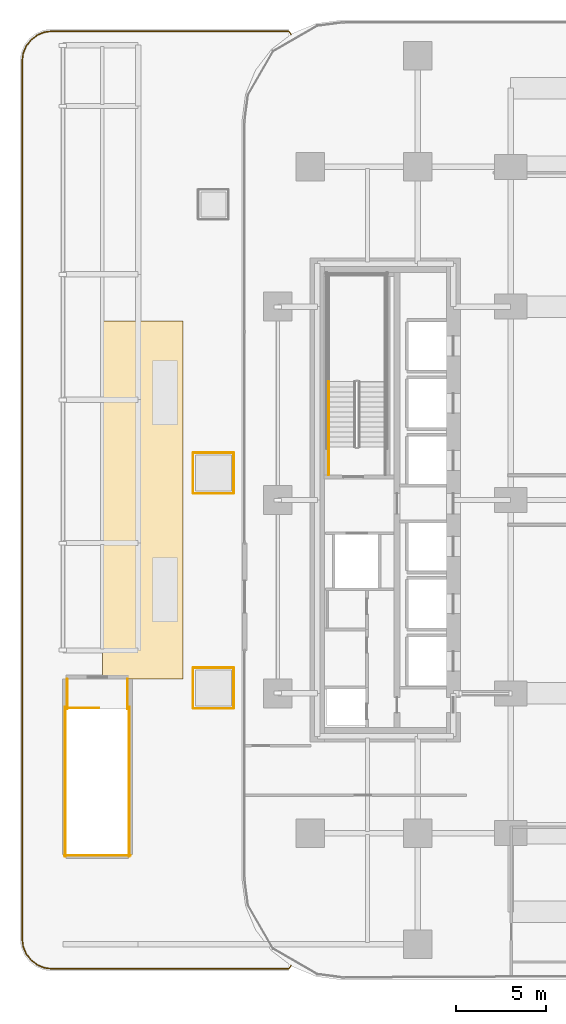
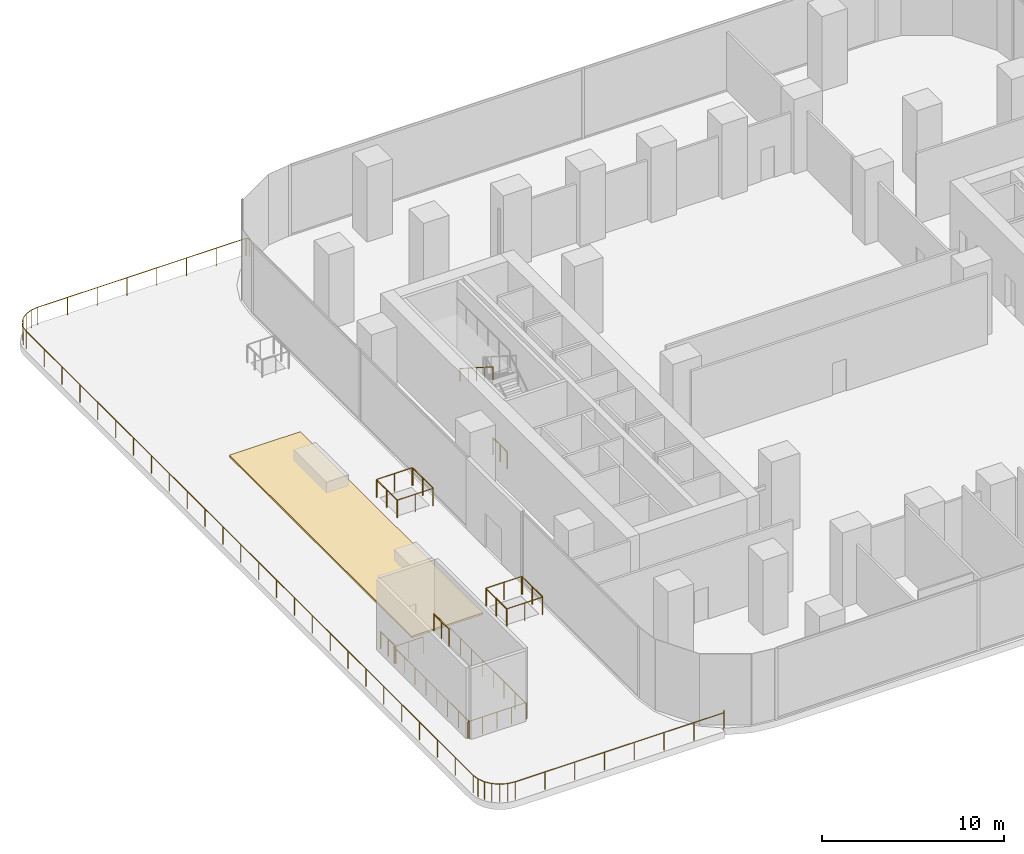
# One storey, part 16 of 21: 17 railings, 1 covering.
"""IFC4 building model written with IfcOpenShell, lengths in metres."""

from ifc_helpers import new_model, si_unit, direction, frame, origin, origin_2d, place, context, subcontext, project, spatial, polyline, circle, outline, extrude, material, layer, layer_set, type_object, element, save


model = new_model("IFC4")

# Units and contexts
model_context = context("Model", 3, precision=1e-05, world=origin(), true_north=direction((0.0, 1.0)))
body_context = subcontext(model_context, "Body", "Model", "MODEL_VIEW")
ifc_project = project(units=[si_unit("LENGTHUNIT", "METRE"), si_unit("AREAUNIT", "SQUARE_METRE"), si_unit("VOLUMEUNIT", "CUBIC_METRE"), si_unit("PLANEANGLEUNIT", "RADIAN"), si_unit("MASSUNIT", "GRAM", prefix="KILO")], contexts=[model_context])

# Site, building, storey
site_placement = place(None, origin())
site = spatial("IfcSite", under=ifc_project, at=site_placement, CompositionType="ELEMENT")
building_placement = place(site_placement, origin())
building = spatial("IfcBuilding", under=site, at=building_placement, Name="Khairoan Windgate Tower", CompositionType="ELEMENT")
storey_placement = place(building_placement, frame((0.0, 0.0, 21.0)))
storey = spatial("IfcBuildingStorey", under=building, at=storey_placement, Name="L05", CompositionType="ELEMENT", Elevation=21.0)

# Railings
ifc_material_1 = material(Name="Anodised Bronze Aluminium 6063-T6", Category="aluminium")
railing_type_1 = type_object("IfcRailingType", Name="Aerodynamic Bronze-and-Glass Balustrade BAL-1200", PredefinedType="BALUSTRADE", material=ifc_material_1)
railing_1_placement = place(storey_placement, frame((-21.462890625, 26.00146484375, 0.0)))
element("IfcRailing", 1, at=railing_1_placement, inside=storey, type_object=railing_type_1, Name="West Podium Terrace Perimeter Balustrade", PredefinedType="BALUSTRADE", context=body_context, shape_type="SweptSolid", body=[
    extrude(circle(Radius=0.02392578125, at=origin_2d()), frame((0.0, 0.0, 1.17578125), z_axis=(-0.60950109224, 0.792785228519, 0.0), x_axis=(-0.792785228519, -0.60950109224, 0.0)), (0.0, 0.0, 1.0), 0.22509765625),
    extrude(circle(Radius=0.02392578125, at=origin_2d()), frame((-0.13720703125, 0.178466796875, 1.17578125), z_axis=(-1.0, 0.0, 0.0), x_axis=(0.0, -1.0, 0.0)), (0.0, 0.0, 1.0), 13.19189453125),
    extrude(circle(Radius=0.02392578125, at=origin_2d()), frame((-13.3291015625, 0.178466796875, 1.17578125), z_axis=(-0.991493340479, -0.130157426935, 0.0), x_axis=(0.130157426935, -0.991493340479, 0.0)), (0.0, 0.0, 1.0), 0.446533203125),
    extrude(circle(Radius=0.02392578125, at=origin_2d()), frame((-13.771728515625, 0.120361328125, 1.17578125), z_axis=(-0.923833445056, -0.38279467838, 0.0), x_axis=(0.38279467838, -0.923833445056, 0.0)), (0.0, 0.0, 1.0), 0.438232421875),
    extrude(circle(Radius=0.02392578125, at=origin_2d()), frame((-14.176513671875, -0.04736328125, 1.17578125), z_axis=(-0.793471909642, -0.608606875256, 0.0), x_axis=(0.608606875256, -0.793471909642, 0.0)), (0.0, 0.0, 1.0), 0.4384765625),
    extrude(circle(Radius=0.02392578125, at=origin_2d()), frame((-14.5244140625, -0.314208984375, 1.17578125), z_axis=(-0.6085251306, -0.79353460254, 0.0), x_axis=(0.79353460254, -0.6085251306, 0.0)), (0.0, 0.0, 1.0), 0.438232421875),
    extrude(circle(Radius=0.02392578125, at=origin_2d()), frame((-14.791015625, -0.661865234375, 1.17578125), z_axis=(-0.383072962241, -0.92371808773, 0.0), x_axis=(0.92371808773, -0.383072962241, 0.0)), (0.0, 0.0, 1.0), 0.4384765625),
    extrude(circle(Radius=0.02392578125, at=origin_2d()), frame((-14.958984375, -1.06689453125, 1.17578125), z_axis=(-0.130228039872, -0.991484068269, 0.0), x_axis=(0.991484068269, -0.130228039872, 0.0)), (0.0, 0.0, 1.0), 0.4462890625),
    extrude(circle(Radius=0.02392578125, at=origin_2d()), frame((-15.01708984375, -1.50927734375, 1.17578125), z_axis=(0.0, -1.0, 0.0), x_axis=(1.0, 0.0, 0.0)), (0.0, 0.0, 1.0), 48.984375),
    extrude(circle(Radius=0.02392578125, at=origin_2d()), frame((-15.01708984375, -50.49365234375, 1.17578125), z_axis=(0.130228039872, -0.991484068269, 0.0), x_axis=(0.991484068269, 0.130228039872, 0.0)), (0.0, 0.0, 1.0), 0.4462890625),
    extrude(circle(Radius=0.02392578125, at=origin_2d()), frame((-14.958984375, -50.93603515625, 1.17578125), z_axis=(0.383072962241, -0.92371808773, 0.0), x_axis=(0.92371808773, 0.383072962241, 0.0)), (0.0, 0.0, 1.0), 0.4384765625),
    extrude(circle(Radius=0.02392578125, at=origin_2d()), frame((-14.791015625, -51.341064453125, 1.17578125), z_axis=(0.6085251306, -0.79353460254, 0.0), x_axis=(0.79353460254, 0.6085251306, 0.0)), (0.0, 0.0, 1.0), 0.438232421875),
    extrude(circle(Radius=0.02392578125, at=origin_2d()), frame((-14.5244140625, -51.688720703125, 1.17578125), z_axis=(0.793471909642, -0.608606875256, 0.0), x_axis=(0.608606875256, 0.793471909642, 0.0)), (0.0, 0.0, 1.0), 0.4384765625),
    extrude(circle(Radius=0.02392578125, at=origin_2d()), frame((-14.176513671875, -51.95556640625, 1.17578125), z_axis=(0.923833445056, -0.38279467838, 0.0), x_axis=(0.38279467838, 0.923833445056, 0.0)), (0.0, 0.0, 1.0), 0.438232421875),
    extrude(circle(Radius=0.02392578125, at=origin_2d()), frame((-13.771728515625, -52.123291015625, 1.17578125), z_axis=(0.991493340479, -0.130157426935, 0.0), x_axis=(0.130157426935, 0.991493340479, 0.0)), (0.0, 0.0, 1.0), 0.446533203125),
    extrude(circle(Radius=0.02392578125, at=origin_2d()), frame((-13.3291015625, -52.181396484375, 1.17578125), z_axis=(1.0, 0.0, 0.0), x_axis=(0.0, 1.0, 0.0)), (0.0, 0.0, 1.0), 13.19189453125),
    extrude(circle(Radius=0.02392578125, at=origin_2d()), frame((-0.13720703125, -52.181396484375, 1.17578125), z_axis=(0.60950109224, 0.792785228519, 0.0), x_axis=(-0.792785228519, 0.60950109224, 0.0)), (0.0, 0.0, 1.0), 0.22509765625),
    extrude(circle(Radius=0.02099609375, at=origin_2d()), origin(), (0.0, 0.0, 1.0), 1.15185546875),
    extrude(circle(Radius=0.02099609375, at=origin_2d()), frame((-0.13720703125, 0.178466796875, 0.0)), (0.0, 0.0, 1.0), 1.15185546875),
    extrude(circle(Radius=0.02099609375, at=origin_2d()), frame((-2.021728515625, 0.178466796875, 0.0)), (0.0, 0.0, 1.0), 1.15185546875),
    extrude(circle(Radius=0.02099609375, at=origin_2d()), frame((-3.90625, 0.178466796875, 0.0)), (0.0, 0.0, 1.0), 1.15185546875),
    extrude(circle(Radius=0.02099609375, at=origin_2d()), frame((-5.790771484375, 0.178466796875, 0.0)), (0.0, 0.0, 1.0), 1.15185546875),
    extrude(circle(Radius=0.02099609375, at=origin_2d()), frame((-7.675537109375, 0.178466796875, 0.0)), (0.0, 0.0, 1.0), 1.15185546875),
    extrude(circle(Radius=0.02099609375, at=origin_2d()), frame((-9.56005859375, 0.178466796875, 0.0)), (0.0, 0.0, 1.0), 1.15185546875),
    extrude(circle(Radius=0.02099609375, at=origin_2d()), frame((-11.444580078125, 0.178466796875, 0.0)), (0.0, 0.0, 1.0), 1.15185546875),
    extrude(circle(Radius=0.02099609375, at=origin_2d()), frame((-13.3291015625, 0.178466796875, 0.0)), (0.0, 0.0, 1.0), 1.15185546875),
    extrude(circle(Radius=0.02099609375, at=origin_2d()), frame((-13.771728515625, 0.120361328125, 0.0)), (0.0, 0.0, 1.0), 1.15185546875),
    extrude(circle(Radius=0.02099609375, at=origin_2d()), frame((-14.176513671875, -0.04736328125, 0.0)), (0.0, 0.0, 1.0), 1.15185546875),
    extrude(circle(Radius=0.02099609375, at=origin_2d()), frame((-14.5244140625, -0.314208984375, 0.0)), (0.0, 0.0, 1.0), 1.15185546875),
    extrude(circle(Radius=0.02099609375, at=origin_2d()), frame((-14.791015625, -0.661865234375, 0.0)), (0.0, 0.0, 1.0), 1.15185546875),
    extrude(circle(Radius=0.02099609375, at=origin_2d()), frame((-14.958984375, -1.06689453125, 0.0)), (0.0, 0.0, 1.0), 1.15185546875),
    extrude(circle(Radius=0.02099609375, at=origin_2d()), frame((-15.01708984375, -1.50927734375, 0.0)), (0.0, 0.0, 1.0), 1.15185546875),
    extrude(circle(Radius=0.02099609375, at=origin_2d()), frame((-15.01708984375, -3.46875, 0.0)), (0.0, 0.0, 1.0), 1.15185546875),
    extrude(circle(Radius=0.02099609375, at=origin_2d()), frame((-15.01708984375, -5.427978515625, 0.0)), (0.0, 0.0, 1.0), 1.15185546875),
    extrude(circle(Radius=0.02099609375, at=origin_2d()), frame((-15.01708984375, -7.387451171875, 0.0)), (0.0, 0.0, 1.0), 1.15185546875),
    extrude(circle(Radius=0.02099609375, at=origin_2d()), frame((-15.01708984375, -9.3466796875, 0.0)), (0.0, 0.0, 1.0), 1.15185546875),
    extrude(circle(Radius=0.02099609375, at=origin_2d()), frame((-15.01708984375, -11.30615234375, 0.0)), (0.0, 0.0, 1.0), 1.15185546875),
    extrude(circle(Radius=0.02099609375, at=origin_2d()), frame((-15.01708984375, -13.265625, 0.0)), (0.0, 0.0, 1.0), 1.15185546875),
    extrude(circle(Radius=0.02099609375, at=origin_2d()), frame((-15.01708984375, -15.224853515625, 0.0)), (0.0, 0.0, 1.0), 1.15185546875),
    extrude(circle(Radius=0.02099609375, at=origin_2d()), frame((-15.01708984375, -17.184326171875, 0.0)), (0.0, 0.0, 1.0), 1.15185546875),
    extrude(circle(Radius=0.02099609375, at=origin_2d()), frame((-15.01708984375, -19.1435546875, 0.0)), (0.0, 0.0, 1.0), 1.15185546875),
    extrude(circle(Radius=0.02099609375, at=origin_2d()), frame((-15.01708984375, -21.10302734375, 0.0)), (0.0, 0.0, 1.0), 1.15185546875),
    extrude(circle(Radius=0.02099609375, at=origin_2d()), frame((-15.01708984375, -23.0625, 0.0)), (0.0, 0.0, 1.0), 1.15185546875),
    extrude(circle(Radius=0.02099609375, at=origin_2d()), frame((-15.01708984375, -25.021728515625, 0.0)), (0.0, 0.0, 1.0), 1.15185546875),
    extrude(circle(Radius=0.02099609375, at=origin_2d()), frame((-15.01708984375, -26.981201171875, 0.0)), (0.0, 0.0, 1.0), 1.15185546875),
    extrude(circle(Radius=0.02099609375, at=origin_2d()), frame((-15.01708984375, -28.9404296875, 0.0)), (0.0, 0.0, 1.0), 1.15185546875),
    extrude(circle(Radius=0.02099609375, at=origin_2d()), frame((-15.01708984375, -30.89990234375, 0.0)), (0.0, 0.0, 1.0), 1.15185546875),
    extrude(circle(Radius=0.02099609375, at=origin_2d()), frame((-15.01708984375, -32.859375, 0.0)), (0.0, 0.0, 1.0), 1.15185546875),
    extrude(circle(Radius=0.02099609375, at=origin_2d()), frame((-15.01708984375, -34.818603515625, 0.0)), (0.0, 0.0, 1.0), 1.15185546875),
    extrude(circle(Radius=0.02099609375, at=origin_2d()), frame((-15.01708984375, -36.778076171875, 0.0)), (0.0, 0.0, 1.0), 1.15185546875),
    extrude(circle(Radius=0.02099609375, at=origin_2d()), frame((-15.01708984375, -38.7373046875, 0.0)), (0.0, 0.0, 1.0), 1.15185546875),
    extrude(circle(Radius=0.02099609375, at=origin_2d()), frame((-15.01708984375, -40.69677734375, 0.0)), (0.0, 0.0, 1.0), 1.15185546875),
    extrude(circle(Radius=0.02099609375, at=origin_2d()), frame((-15.01708984375, -42.65625, 0.0)), (0.0, 0.0, 1.0), 1.15185546875),
    extrude(circle(Radius=0.02099609375, at=origin_2d()), frame((-15.01708984375, -44.615478515625, 0.0)), (0.0, 0.0, 1.0), 1.15185546875),
    extrude(circle(Radius=0.02099609375, at=origin_2d()), frame((-15.01708984375, -46.574951171875, 0.0)), (0.0, 0.0, 1.0), 1.15185546875),
    extrude(circle(Radius=0.02099609375, at=origin_2d()), frame((-15.01708984375, -48.5341796875, 0.0)), (0.0, 0.0, 1.0), 1.15185546875),
    extrude(circle(Radius=0.02099609375, at=origin_2d()), frame((-15.01708984375, -50.49365234375, 0.0)), (0.0, 0.0, 1.0), 1.15185546875),
    extrude(circle(Radius=0.02099609375, at=origin_2d()), frame((-14.958984375, -50.93603515625, 0.0)), (0.0, 0.0, 1.0), 1.15185546875),
    extrude(circle(Radius=0.02099609375, at=origin_2d()), frame((-14.791015625, -51.341064453125, 0.0)), (0.0, 0.0, 1.0), 1.15185546875),
    extrude(circle(Radius=0.02099609375, at=origin_2d()), frame((-14.5244140625, -51.688720703125, 0.0)), (0.0, 0.0, 1.0), 1.15185546875),
    extrude(circle(Radius=0.02099609375, at=origin_2d()), frame((-14.176513671875, -51.95556640625, 0.0)), (0.0, 0.0, 1.0), 1.15185546875),
    extrude(circle(Radius=0.02099609375, at=origin_2d()), frame((-13.771728515625, -52.123291015625, 0.0)), (0.0, 0.0, 1.0), 1.15185546875),
    extrude(circle(Radius=0.02099609375, at=origin_2d()), frame((-13.3291015625, -52.181396484375, 0.0)), (0.0, 0.0, 1.0), 1.15185546875),
    extrude(circle(Radius=0.02099609375, at=origin_2d()), frame((-11.444580078125, -52.181396484375, 0.0)), (0.0, 0.0, 1.0), 1.15185546875),
    extrude(circle(Radius=0.02099609375, at=origin_2d()), frame((-9.56005859375, -52.181396484375, 0.0)), (0.0, 0.0, 1.0), 1.15185546875),
    extrude(circle(Radius=0.02099609375, at=origin_2d()), frame((-7.675537109375, -52.181396484375, 0.0)), (0.0, 0.0, 1.0), 1.15185546875),
    extrude(circle(Radius=0.02099609375, at=origin_2d()), frame((-5.790771484375, -52.181396484375, 0.0)), (0.0, 0.0, 1.0), 1.15185546875),
    extrude(circle(Radius=0.02099609375, at=origin_2d()), frame((-3.90625, -52.181396484375, 0.0)), (0.0, 0.0, 1.0), 1.15185546875),
    extrude(circle(Radius=0.02099609375, at=origin_2d()), frame((-2.021728515625, -52.181396484375, 0.0)), (0.0, 0.0, 1.0), 1.15185546875),
    extrude(circle(Radius=0.02099609375, at=origin_2d()), frame((-0.13720703125, -52.181396484375, 0.0)), (0.0, 0.0, 1.0), 1.15185546875),
    extrude(circle(Radius=0.02099609375, at=origin_2d()), frame((0.0, -52.0029296875, 0.0)), (0.0, 0.0, 1.0), 1.15185546875),
])
railing_2_placement = place(storey_placement, frame((-26.909912109375, -11.639892578125, 0.0)))
element("IfcRailing", 2, at=railing_2_placement, inside=storey, type_object=railing_type_1, Name="Podium Skylight 01 Guardrail 1", PredefinedType="BALUSTRADE", context=body_context, shape_type="SweptSolid", body=[
    extrude(circle(Radius=0.02392578125, at=origin_2d()), frame((0.0, 0.0, 1.17578125), z_axis=(1.0, 0.0, 0.0), x_axis=(0.0, 1.0, 0.0)), (0.0, 0.0, 1.0), 2.219970703125),
    extrude(circle(Radius=0.02099609375, at=origin_2d()), origin(), (0.0, 0.0, 1.0), 1.15185546875),
    extrude(circle(Radius=0.02099609375, at=origin_2d()), frame((1.10986328125, 0.0, 0.0)), (0.0, 0.0, 1.0), 1.15185546875),
    extrude(circle(Radius=0.02099609375, at=origin_2d()), frame((2.219970703125, 0.0, 0.0)), (0.0, 0.0, 1.0), 1.15185546875),
])
railing_3_placement = place(storey_placement, frame((-24.659912109375, -11.610107421875, 0.0)))
element("IfcRailing", 3, at=railing_3_placement, inside=storey, type_object=railing_type_1, Name="Podium Skylight 01 Guardrail 2", PredefinedType="BALUSTRADE", context=body_context, shape_type="SweptSolid", body=[
    extrude(circle(Radius=0.02392578125, at=origin_2d()), frame((0.0, 0.0, 1.17578125), z_axis=(0.0, 1.0, 0.0), x_axis=(-1.0, 0.0, 0.0)), (0.0, 0.0, 1.0), 2.22021484375),
    extrude(circle(Radius=0.02099609375, at=origin_2d()), origin(), (0.0, 0.0, 1.0), 1.15185546875),
    extrude(circle(Radius=0.02099609375, at=origin_2d()), frame((0.0, 1.110107421875, 0.0)), (0.0, 0.0, 1.0), 1.15185546875),
    extrude(circle(Radius=0.02099609375, at=origin_2d()), frame((0.0, 2.22021484375, 0.0)), (0.0, 0.0, 1.0), 1.15185546875),
])
railing_4_placement = place(storey_placement, frame((-24.68994140625, -9.360107421875, 0.0)))
element("IfcRailing", 4, at=railing_4_placement, inside=storey, type_object=railing_type_1, Name="Podium Skylight 01 Guardrail 3", PredefinedType="BALUSTRADE", context=body_context, shape_type="SweptSolid", body=[
    extrude(circle(Radius=0.02392578125, at=origin_2d()), frame((0.0, 0.0, 1.17578125), z_axis=(-1.0, 0.0, 0.0), x_axis=(0.0, -1.0, 0.0)), (0.0, 0.0, 1.0), 2.219970703125),
    extrude(circle(Radius=0.02099609375, at=origin_2d()), origin(), (0.0, 0.0, 1.0), 1.15185546875),
    extrude(circle(Radius=0.02099609375, at=origin_2d()), frame((-1.10986328125, 0.0, 0.0)), (0.0, 0.0, 1.0), 1.15185546875),
    extrude(circle(Radius=0.02099609375, at=origin_2d()), frame((-2.219970703125, 0.0, 0.0)), (0.0, 0.0, 1.0), 1.15185546875),
])
railing_5_placement = place(storey_placement, frame((-26.93994140625, -9.389892578125, 0.0)))
element("IfcRailing", 5, at=railing_5_placement, inside=storey, type_object=railing_type_1, Name="Podium Skylight 01 Guardrail 4", PredefinedType="BALUSTRADE", context=body_context, shape_type="SweptSolid", body=[
    extrude(circle(Radius=0.02392578125, at=origin_2d()), frame((0.0, 0.0, 1.17578125), z_axis=(0.0, -1.0, 0.0), x_axis=(1.0, 0.0, 0.0)), (0.0, 0.0, 1.0), 2.22021484375),
    extrude(circle(Radius=0.02099609375, at=origin_2d()), origin(), (0.0, 0.0, 1.0), 1.15185546875),
    extrude(circle(Radius=0.02099609375, at=origin_2d()), frame((0.0, -1.110107421875, 0.0)), (0.0, 0.0, 1.0), 1.15185546875),
    extrude(circle(Radius=0.02099609375, at=origin_2d()), frame((0.0, -2.22021484375, 0.0)), (0.0, 0.0, 1.0), 1.15185546875),
])
railing_6_placement = place(storey_placement, frame((-26.909912109375, 0.360107421875, 0.0)))
element("IfcRailing", 6, at=railing_6_placement, inside=storey, type_object=railing_type_1, Name="Podium Skylight 02 Guardrail 1", PredefinedType="BALUSTRADE", context=body_context, shape_type="SweptSolid", body=[
    extrude(circle(Radius=0.02392578125, at=origin_2d()), frame((0.0, 0.0, 1.17578125), z_axis=(1.0, 0.0, 0.0), x_axis=(0.0, 1.0, 0.0)), (0.0, 0.0, 1.0), 2.219970703125),
    extrude(circle(Radius=0.02099609375, at=origin_2d()), origin(), (0.0, 0.0, 1.0), 1.15185546875),
    extrude(circle(Radius=0.02099609375, at=origin_2d()), frame((1.10986328125, 0.0, 0.0)), (0.0, 0.0, 1.0), 1.15185546875),
    extrude(circle(Radius=0.02099609375, at=origin_2d()), frame((2.219970703125, 0.0, 0.0)), (0.0, 0.0, 1.0), 1.15185546875),
])
railing_7_placement = place(storey_placement, frame((-24.659912109375, 0.389892578125, 0.0)))
element("IfcRailing", 7, at=railing_7_placement, inside=storey, type_object=railing_type_1, Name="Podium Skylight 02 Guardrail 2", PredefinedType="BALUSTRADE", context=body_context, shape_type="SweptSolid", body=[
    extrude(circle(Radius=0.02392578125, at=origin_2d()), frame((0.0, 0.0, 1.17578125), z_axis=(0.0, 1.0, 0.0), x_axis=(-1.0, 0.0, 0.0)), (0.0, 0.0, 1.0), 2.22021484375),
    extrude(circle(Radius=0.02099609375, at=origin_2d()), origin(), (0.0, 0.0, 1.0), 1.15185546875),
    extrude(circle(Radius=0.02099609375, at=origin_2d()), frame((0.0, 1.110107421875, 0.0)), (0.0, 0.0, 1.0), 1.15185546875),
    extrude(circle(Radius=0.02099609375, at=origin_2d()), frame((0.0, 2.22021484375, 0.0)), (0.0, 0.0, 1.0), 1.15185546875),
])
railing_8_placement = place(storey_placement, frame((-24.68994140625, 2.639892578125, 0.0)))
element("IfcRailing", 8, at=railing_8_placement, inside=storey, type_object=railing_type_1, Name="Podium Skylight 02 Guardrail 3", PredefinedType="BALUSTRADE", context=body_context, shape_type="SweptSolid", body=[
    extrude(circle(Radius=0.02392578125, at=origin_2d()), frame((0.0, 0.0, 1.17578125), z_axis=(-1.0, 0.0, 0.0), x_axis=(0.0, -1.0, 0.0)), (0.0, 0.0, 1.0), 2.219970703125),
    extrude(circle(Radius=0.02099609375, at=origin_2d()), origin(), (0.0, 0.0, 1.0), 1.15185546875),
    extrude(circle(Radius=0.02099609375, at=origin_2d()), frame((-1.10986328125, 0.0, 0.0)), (0.0, 0.0, 1.0), 1.15185546875),
    extrude(circle(Radius=0.02099609375, at=origin_2d()), frame((-2.219970703125, 0.0, 0.0)), (0.0, 0.0, 1.0), 1.15185546875),
])
railing_9_placement = place(storey_placement, frame((-26.93994140625, 2.610107421875, 0.0)))
element("IfcRailing", 9, at=railing_9_placement, inside=storey, type_object=railing_type_1, Name="Podium Skylight 02 Guardrail 4", PredefinedType="BALUSTRADE", context=body_context, shape_type="SweptSolid", body=[
    extrude(circle(Radius=0.02392578125, at=origin_2d()), frame((0.0, 0.0, 1.17578125), z_axis=(0.0, -1.0, 0.0), x_axis=(1.0, 0.0, 0.0)), (0.0, 0.0, 1.0), 2.22021484375),
    extrude(circle(Radius=0.02099609375, at=origin_2d()), origin(), (0.0, 0.0, 1.0), 1.15185546875),
    extrude(circle(Radius=0.02099609375, at=origin_2d()), frame((0.0, -1.110107421875, 0.0)), (0.0, 0.0, 1.0), 1.15185546875),
    extrude(circle(Radius=0.02099609375, at=origin_2d()), frame((0.0, -2.22021484375, 0.0)), (0.0, 0.0, 1.0), 1.15185546875),
])

# Covering
ifc_material_2 = material(Name="EPDM Waterproofing Membrane", Category="membrane")
ifc_layer = layer(ifc_material_2, 0.1201171875, Name="EPDM Waterproofing Membrane")
ifc_layer_set = layer_set([ifc_layer], Name="EPDM Waterproofing Membrane")
covering_type = type_object("IfcCoveringType", Name="Insulated EPDM Terrace and Canopy Roofing Membrane", PredefinedType="ROOFING", material=ifc_layer_set)
covering_placement = place(storey_placement, origin())
element("IfcCovering", 10, at=covering_placement, inside=storey, type_object=covering_type, Name="L05 W Podium Terrace Waterproofing Membrane", PredefinedType="ROOFING", context=body_context, shape_type="SweptSolid", body=[
    extrude(outline(polyline([(-32.0, -10.0), (-27.5, -10.0), (-27.5, 10.0), (-32.0, 10.0), (-32.0, -10.0)])), origin(), (0.0, 0.0, 1.0), 0.1201171875),
])

# Railings
ifc_material_3 = material(Name="Anodised Bronze Aluminium 6063-T6", Category="aluminium")
railing_type_2 = type_object("IfcRailingType", Name="Stair Wall Handrail SHR-900", PredefinedType="HANDRAIL", material=ifc_material_3)
railing_10_placement = place(storey_placement, frame((-19.3701171875, 6.60009765625, 2.678466796875)))
element("IfcRailing", 11, at=railing_10_placement, inside=storey, type_object=railing_type_2, Name="L05 ST2 stair handrail 2", PredefinedType="HANDRAIL", context=body_context, shape_type="SweptSolid", body=[
    extrude(circle(Radius=0.02392578125, at=origin_2d()), frame((0.0, 0.0, 0.8759765625), z_axis=(0.0, -0.843127859045, 0.537713132908), x_axis=(1.0, 0.0, 0.0)), (0.0, 0.0, 1.0), 4.3173828125),
    extrude(circle(Radius=0.02099609375, at=origin_2d()), origin(), (0.0, 0.0, 1.0), 0.851806640625),
    extrude(circle(Radius=0.02099609375, at=origin_2d()), frame((0.0, -0.91015625, 0.580322265625)), (0.0, 0.0, 1.0), 0.851806640625),
    extrude(circle(Radius=0.02099609375, at=origin_2d()), frame((0.0, -1.820068359375, 1.16064453125)), (0.0, 0.0, 1.0), 0.851806640625),
    extrude(circle(Radius=0.02099609375, at=origin_2d()), frame((0.0, -2.72998046875, 1.7412109375)), (0.0, 0.0, 1.0), 0.851806640625),
    extrude(circle(Radius=0.02099609375, at=origin_2d()), frame((0.0, -3.64013671875, 2.321533203125)), (0.0, 0.0, 1.0), 0.851806640625),
])
ifc_material_4 = material(Name="Steel S355", Category="steel")
railing_type_3 = type_object("IfcRailingType", Name="Stairwell Safety Guardrail SGR-1150", PredefinedType="GUARDRAIL", material=ifc_material_4)
railing_11_placement = place(storey_placement, frame((-19.3701171875, 1.39990234375, 0.0)))
element("IfcRailing", 12, at=railing_11_placement, inside=storey, type_object=railing_type_3, Name="L05 ST2 stair guard 9", PredefinedType="GUARDRAIL", context=body_context, shape_type="SweptSolid", body=[
    extrude(circle(Radius=0.02392578125, at=origin_2d()), frame((0.0, 0.0, 1.1259765625), z_axis=(0.0, 1.0, 0.0), x_axis=(-1.0, 0.0, 0.0)), (0.0, 0.0, 1.0), 1.56005859375),
    extrude(circle(Radius=0.02099609375, at=origin_2d()), origin(), (0.0, 0.0, 1.0), 1.101806640625),
    extrude(circle(Radius=0.02099609375, at=origin_2d()), frame((0.0, 0.780029296875, 0.0)), (0.0, 0.0, 1.0), 1.101806640625),
    extrude(circle(Radius=0.02099609375, at=origin_2d()), frame((0.0, 1.56005859375, 0.0)), (0.0, 0.0, 1.0), 1.101806640625),
])
railing_12_placement = place(storey_placement, frame((-34.02001953125, -11.610107421875, 0.0)))
element("IfcRailing", 13, at=railing_12_placement, inside=storey, type_object=railing_type_3, Name="L05 ST4 top well guard 1", PredefinedType="GUARDRAIL", context=body_context, shape_type="SweptSolid", body=[
    extrude(circle(Radius=0.02392578125, at=origin_2d()), frame((0.0, 0.0, 1.1259765625), z_axis=(1.0, 0.0, 0.0), x_axis=(0.0, 1.0, 0.0)), (0.0, 0.0, 1.0), 1.81005859375),
    extrude(circle(Radius=0.02099609375, at=origin_2d()), origin(), (0.0, 0.0, 1.0), 1.101806640625),
    extrude(circle(Radius=0.02099609375, at=origin_2d()), frame((0.905029296875, 0.0, 0.0)), (0.0, 0.0, 1.0), 1.101806640625),
    extrude(circle(Radius=0.02099609375, at=origin_2d()), frame((1.81005859375, 0.0, 0.0)), (0.0, 0.0, 1.0), 1.101806640625),
])
for number, where, name in (
    (14, (-34.070068359375, -11.56005859375, 0.0), "L05 ST4 top well guard 2"),
    (15, (-30.5, -11.56005859375, 0.0), "L05 ST4 top well guard 3"),
):
    element("IfcRailing", number, at=place(storey_placement, frame(where)), inside=storey, type_object=railing_type_3, Name=name, PredefinedType="GUARDRAIL", context=body_context, shape_type="SweptSolid", body=[
        extrude(circle(Radius=0.02392578125, at=origin_2d()), frame((0.0, 0.0, 1.1259765625), z_axis=(0.0, -1.0, 0.0), x_axis=(1.0, 0.0, 0.0)), (0.0, 0.0, 1.0), 8.33984375),
        extrude(circle(Radius=0.02099609375, at=origin_2d()), origin(), (0.0, 0.0, 1.0), 1.101806640625),
        extrude(circle(Radius=0.02099609375, at=origin_2d()), frame((0.0, -1.19140625, 0.0)), (0.0, 0.0, 1.0), 1.101806640625),
        extrude(circle(Radius=0.02099609375, at=origin_2d()), frame((0.0, -2.3828125, 0.0)), (0.0, 0.0, 1.0), 1.101806640625),
        extrude(circle(Radius=0.02099609375, at=origin_2d()), frame((0.0, -3.57421875, 0.0)), (0.0, 0.0, 1.0), 1.101806640625),
        extrude(circle(Radius=0.02099609375, at=origin_2d()), frame((0.0, -4.765625, 0.0)), (0.0, 0.0, 1.0), 1.101806640625),
        extrude(circle(Radius=0.02099609375, at=origin_2d()), frame((0.0, -5.95703125, 0.0)), (0.0, 0.0, 1.0), 1.101806640625),
        extrude(circle(Radius=0.02099609375, at=origin_2d()), frame((0.0, -7.1484375, 0.0)), (0.0, 0.0, 1.0), 1.101806640625),
        extrude(circle(Radius=0.02099609375, at=origin_2d()), frame((0.0, -8.33984375, 0.0)), (0.0, 0.0, 1.0), 1.101806640625),
    ])
railing_13_placement = place(storey_placement, frame((-34.1201171875, -19.85009765625, 0.0)))
element("IfcRailing", 16, at=railing_13_placement, inside=storey, type_object=railing_type_3, Name="L05 ST4 top well guard 4", PredefinedType="GUARDRAIL", context=body_context, shape_type="SweptSolid", body=[
    extrude(circle(Radius=0.02392578125, at=origin_2d()), frame((0.0, 0.0, 1.1259765625), z_axis=(1.0, 0.0, 0.0), x_axis=(0.0, 1.0, 0.0)), (0.0, 0.0, 1.0), 3.670166015625),
    extrude(circle(Radius=0.02099609375, at=origin_2d()), origin(), (0.0, 0.0, 1.0), 1.101806640625),
    extrude(circle(Radius=0.02099609375, at=origin_2d()), frame((0.91748046875, 0.0, 0.0)), (0.0, 0.0, 1.0), 1.101806640625),
    extrude(circle(Radius=0.02099609375, at=origin_2d()), frame((1.8349609375, 0.0, 0.0)), (0.0, 0.0, 1.0), 1.101806640625),
    extrude(circle(Radius=0.02099609375, at=origin_2d()), frame((2.752685546875, 0.0, 0.0)), (0.0, 0.0, 1.0), 1.101806640625),
    extrude(circle(Radius=0.02099609375, at=origin_2d()), frame((3.670166015625, 0.0, 0.0)), (0.0, 0.0, 1.0), 1.101806640625),
])
for number, where, name in (
    (17, (-33.969970703125, -10.0, 0.0), "L05 ST4 top well guard 5"),
    (18, (-30.60009765625, -10.0, 0.0), "L05 ST4 top well guard 6"),
):
    element("IfcRailing", number, at=place(storey_placement, frame(where)), inside=storey, type_object=railing_type_3, Name=name, PredefinedType="GUARDRAIL", context=body_context, shape_type="SweptSolid", body=[
        extrude(circle(Radius=0.02392578125, at=origin_2d()), frame((0.0, 0.0, 1.1259765625), z_axis=(0.0, -1.0, 0.0), x_axis=(1.0, 0.0, 0.0)), (0.0, 0.0, 1.0), 1.659912109375),
        extrude(circle(Radius=0.02099609375, at=origin_2d()), origin(), (0.0, 0.0, 1.0), 1.101806640625),
        extrude(circle(Radius=0.02099609375, at=origin_2d()), frame((0.0, -0.830078125, 0.0)), (0.0, 0.0, 1.0), 1.101806640625),
        extrude(circle(Radius=0.02099609375, at=origin_2d()), frame((0.0, -1.659912109375, 0.0)), (0.0, 0.0, 1.0), 1.101806640625),
    ])

save(model, "model.ifc")
